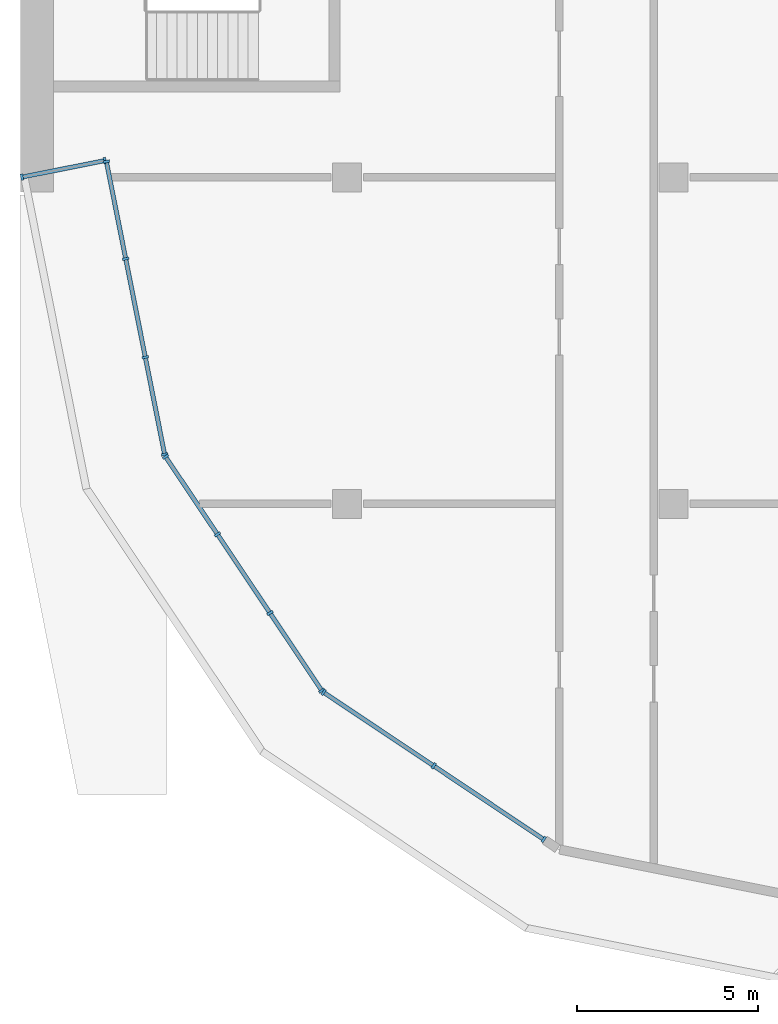
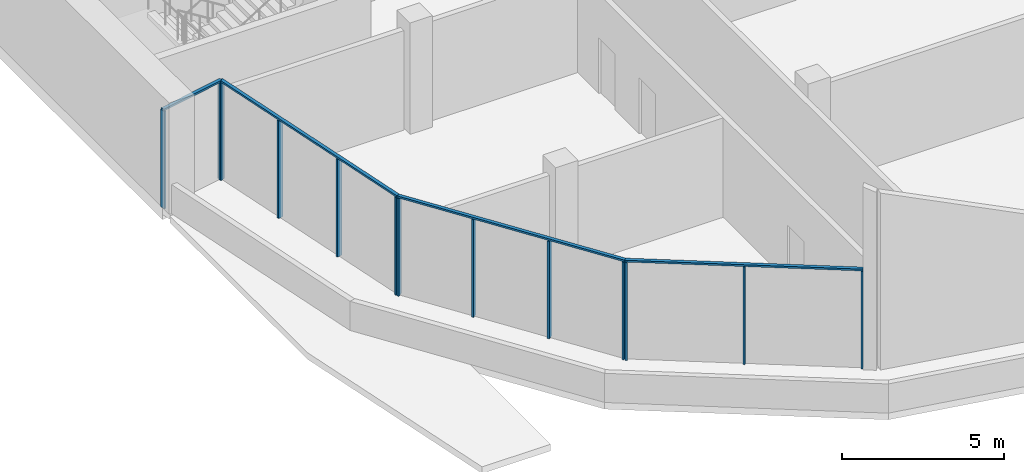
# One storey, part 2 of 11: 17 members, 4 elements without a shape of their own.
"""IFC4 building model written with IfcOpenShell, lengths in metres."""

from ifc_helpers import new_model, si_unit, direction, frame, origin, origin_2d, place, context, subcontext, project, spatial, rectangle, extrude, material, material_profile, profile_set, type_object, element, aggregate, save


model = new_model("IFC4")

# Units and contexts
model_context = context("Model", 3, precision=1e-05, world=origin(), true_north=direction((0.0, 1.0)))
body_context = subcontext(model_context, "Body", "Model", "MODEL_VIEW")
ifc_project = project(units=[si_unit("LENGTHUNIT", "METRE"), si_unit("AREAUNIT", "SQUARE_METRE"), si_unit("VOLUMEUNIT", "CUBIC_METRE"), si_unit("PLANEANGLEUNIT", "RADIAN"), si_unit("MASSUNIT", "GRAM", prefix="KILO")], contexts=[model_context])

# Site, building, storey
site_placement = place(None, origin())
site = spatial("IfcSite", under=ifc_project, at=site_placement, CompositionType="ELEMENT")
building_placement = place(site_placement, origin())
building = spatial("IfcBuilding", under=site, at=building_placement, Name="Hunhe Ridgeline Campus", CompositionType="ELEMENT")
storey_placement = place(building_placement, frame((0.0, 0.0, 303.0)))
storey = spatial("IfcBuildingStorey", under=building, at=storey_placement, Name="L78 Crown", CompositionType="ELEMENT", Elevation=303.0)

# Curtain wall, members
ifc_material = material(Name="Aluminium 6063", Category="aluminium")
curtain_wall_type = type_object("IfcCurtainWallType", Name="Curtain wall CW-3", PredefinedType="NOTDEFINED", material=ifc_material)
curtain_wall_1_placement = place(storey_placement, origin())
curtain_wall_1 = element("IfcCurtainWall", 1, at=curtain_wall_1_placement, inside=storey, type_object=curtain_wall_type, Name="Curtain wall 01", PredefinedType="NOTDEFINED")
ifc_material_profile_1 = material_profile(ifc_material, rectangle(XDim=0.179931640625, YDim=0.070068359375, at=origin_2d()))
ifc_profile_set_1 = profile_set([ifc_material_profile_1], Name="Aluminium 6063")
member_type_1 = type_object("IfcMemberType", Name="CW-3 aluminium mullion", PredefinedType="MULLION", material=ifc_profile_set_1)
member_1_placement = place(storey_placement, frame((0.034423828125, 54.0078125, 0.0), z_axis=(0.0, 0.0, 1.0), x_axis=(-0.194800108362, 0.980842962855, 0.0)))
member_1 = element("IfcMember", 2, at=member_1_placement, type_object=member_type_1, Name="CW-3 mullion 1", PredefinedType="MULLION", context=body_context, shape_type="SweptSolid", body=[
    extrude(rectangle(XDim=0.179931640625, YDim=0.070068359375, at=origin_2d()), origin(), (0.0, 0.0, 1.0), 3.679931640625),
])
member_2_placement = place(storey_placement, frame((2.320556640625, 54.4619140625, 0.0), z_axis=(0.0, 0.0, 1.0), x_axis=(-0.194800108362, 0.980842962855, 0.0)))
member_2 = element("IfcMember", 3, at=member_2_placement, type_object=member_type_1, Name="CW-3 mullion 2", PredefinedType="MULLION", context=body_context, shape_type="SweptSolid", body=[
    extrude(rectangle(XDim=0.179931640625, YDim=0.070068359375, at=origin_2d()), origin(), (0.0, 0.0, 1.0), 3.679931640625),
])

curtain_wall_2_placement = place(storey_placement, origin())
curtain_wall_2 = element("IfcCurtainWall", 4, at=curtain_wall_2_placement, inside=storey, type_object=curtain_wall_type, Name="Curtain wall 02", PredefinedType="NOTDEFINED")
member_3_placement = place(storey_placement, frame((2.361572265625, 54.434326171875, 0.0), z_axis=(0.0, 0.0, 1.0), x_axis=(0.980784280831, 0.195095347137, 0.0)))
member_3 = element("IfcMember", 5, at=member_3_placement, type_object=member_type_1, Name="CW-3 mullion 1", PredefinedType="MULLION", context=body_context, shape_type="SweptSolid", body=[
    extrude(rectangle(XDim=0.179931640625, YDim=0.070068359375, at=origin_2d()), origin(), (0.0, 0.0, 1.0), 3.679931640625),
])
member_4_placement = place(storey_placement, frame((2.89453125, 51.754638671875, 0.0), z_axis=(0.0, 0.0, 1.0), x_axis=(0.980784280831, 0.195095347137, 0.0)))
member_4 = element("IfcMember", 6, at=member_4_placement, type_object=member_type_1, Name="CW-3 mullion 2", PredefinedType="MULLION", context=body_context, shape_type="SweptSolid", body=[
    extrude(rectangle(XDim=0.179931640625, YDim=0.070068359375, at=origin_2d()), origin(), (0.0, 0.0, 1.0), 3.679931640625),
])
member_5_placement = place(storey_placement, frame((3.4345703125, 49.04052734375, 0.0), z_axis=(0.0, 0.0, 1.0), x_axis=(0.980784280831, 0.195095347137, 0.0)))
member_5 = element("IfcMember", 7, at=member_5_placement, type_object=member_type_1, Name="CW-3 mullion 3", PredefinedType="MULLION", context=body_context, shape_type="SweptSolid", body=[
    extrude(rectangle(XDim=0.179931640625, YDim=0.070068359375, at=origin_2d()), origin(), (0.0, 0.0, 1.0), 3.679931640625),
])
member_6_placement = place(storey_placement, frame((3.967529296875, 46.36083984375, 0.0), z_axis=(0.0, 0.0, 1.0), x_axis=(0.980784280831, 0.195095347137, 0.0)))
member_6 = element("IfcMember", 8, at=member_6_placement, type_object=member_type_1, Name="CW-3 mullion 4", PredefinedType="MULLION", context=body_context, shape_type="SweptSolid", body=[
    extrude(rectangle(XDim=0.179931640625, YDim=0.070068359375, at=origin_2d()), origin(), (0.0, 0.0, 1.0), 3.679931640625),
])

curtain_wall_3_placement = place(storey_placement, origin())
curtain_wall_3 = element("IfcCurtainWall", 9, at=curtain_wall_3_placement, inside=storey, type_object=curtain_wall_type, Name="Curtain wall 03", PredefinedType="NOTDEFINED")
member_7_placement = place(storey_placement, frame((3.993896484375, 46.29736328125, 0.0), z_axis=(0.0, 0.0, 1.0), x_axis=(0.831469584522, 0.555570274596, 0.0)))
member_7 = element("IfcMember", 10, at=member_7_placement, type_object=member_type_1, Name="CW-3 mullion 1", PredefinedType="MULLION", context=body_context, shape_type="SweptSolid", body=[
    extrude(rectangle(XDim=0.179931640625, YDim=0.070068359375, at=origin_2d()), origin(), (0.0, 0.0, 1.0), 3.679931640625),
])
member_8_placement = place(storey_placement, frame((5.42333984375, 44.157958984375, 0.0), z_axis=(0.0, 0.0, 1.0), x_axis=(0.831469584522, 0.555570274596, 0.0)))
member_8 = element("IfcMember", 11, at=member_8_placement, type_object=member_type_1, Name="CW-3 mullion 2", PredefinedType="MULLION", context=body_context, shape_type="SweptSolid", body=[
    extrude(rectangle(XDim=0.179931640625, YDim=0.070068359375, at=origin_2d()), origin(), (0.0, 0.0, 1.0), 3.679931640625),
])
member_9_placement = place(storey_placement, frame((6.872314453125, 41.989501953125, 0.0), z_axis=(0.0, 0.0, 1.0), x_axis=(0.831469584522, 0.555570274596, 0.0)))
member_9 = element("IfcMember", 12, at=member_9_placement, type_object=member_type_1, Name="CW-3 mullion 3", PredefinedType="MULLION", context=body_context, shape_type="SweptSolid", body=[
    extrude(rectangle(XDim=0.179931640625, YDim=0.070068359375, at=origin_2d()), origin(), (0.0, 0.0, 1.0), 3.679931640625),
])
member_10_placement = place(storey_placement, frame((8.3017578125, 39.850341796875, 0.0), z_axis=(0.0, 0.0, 1.0), x_axis=(0.831469584522, 0.555570274596, 0.0)))
member_10 = element("IfcMember", 13, at=member_10_placement, type_object=member_type_1, Name="CW-3 mullion 4", PredefinedType="MULLION", context=body_context, shape_type="SweptSolid", body=[
    extrude(rectangle(XDim=0.179931640625, YDim=0.070068359375, at=origin_2d()), origin(), (0.0, 0.0, 1.0), 3.679931640625),
])

curtain_wall_4_placement = place(storey_placement, origin())
curtain_wall_4 = element("IfcCurtainWall", 14, at=curtain_wall_4_placement, inside=storey, type_object=curtain_wall_type, Name="Curtain wall 04", PredefinedType="NOTDEFINED")
member_11_placement = place(storey_placement, frame((8.350341796875, 39.8017578125, 0.0), z_axis=(0.0, 0.0, 1.0), x_axis=(0.555570218, 0.831469622338, 0.0)))
member_11 = element("IfcMember", 15, at=member_11_placement, type_object=member_type_1, Name="CW-3 mullion 1", PredefinedType="MULLION", context=body_context, shape_type="SweptSolid", body=[
    extrude(rectangle(XDim=0.179931640625, YDim=0.070068359375, at=origin_2d()), origin(), (0.0, 0.0, 1.0), 3.679931640625),
])
member_12_placement = place(storey_placement, frame((11.384521484375, 37.774169921875, 0.0), z_axis=(0.0, 0.0, 1.0), x_axis=(0.555570218, 0.831469622338, 0.0)))
member_12 = element("IfcMember", 16, at=member_12_placement, type_object=member_type_1, Name="CW-3 mullion 2", PredefinedType="MULLION", context=body_context, shape_type="SweptSolid", body=[
    extrude(rectangle(XDim=0.179931640625, YDim=0.070068359375, at=origin_2d()), origin(), (0.0, 0.0, 1.0), 3.679931640625),
])
member_13_placement = place(storey_placement, frame((14.4189453125, 35.74658203125, 0.0), z_axis=(0.0, 0.0, 1.0), x_axis=(0.555570218, 0.831469622338, 0.0)))
member_13 = element("IfcMember", 17, at=member_13_placement, type_object=member_type_1, Name="CW-3 mullion 3", PredefinedType="MULLION", context=body_context, shape_type="SweptSolid", body=[
    extrude(rectangle(XDim=0.179931640625, YDim=0.070068359375, at=origin_2d()), origin(), (0.0, 0.0, 1.0), 3.679931640625),
])

# Member
ifc_material_profile_2 = material_profile(ifc_material, rectangle(XDim=0.1201171875, YDim=0.070068359375, at=origin_2d()))
ifc_profile_set_2 = profile_set([ifc_material_profile_2], Name="Aluminium 6063")
member_type_2 = type_object("IfcMemberType", Name="CW-3 aluminium transom", PredefinedType="USERDEFINED", material=ifc_profile_set_2)
member_14_placement = place(storey_placement, frame((0.0, 54.0009765625, 3.715087890625), z_axis=(0.980834085577, 0.194844801241, 0.0), x_axis=(-0.194844801241, 0.980834085577, 0.0)))
member_14 = element("IfcMember", 18, at=member_14_placement, type_object=member_type_2, Name="CW-3 transom 1", ObjectType="TRANSOM", PredefinedType="USERDEFINED", context=body_context, shape_type="SweptSolid", body=[
    extrude(rectangle(XDim=0.1201171875, YDim=0.070068359375, at=origin_2d()), origin(), (0.0, 0.0, 1.0), 2.400634765625),
])

aggregate(curtain_wall_1, [member_14, member_1, member_2])

member_15_placement = place(storey_placement, frame((2.354736328125, 54.46875, 3.715087890625), z_axis=(0.195092405068, -0.980784866056, 0.0), x_axis=(0.980784866056, 0.195092405068, 0.0)))
member_15 = element("IfcMember", 19, at=member_15_placement, type_object=member_type_2, Name="CW-3 transom 1", ObjectType="TRANSOM", PredefinedType="USERDEFINED", context=body_context, shape_type="SweptSolid", body=[
    extrude(rectangle(XDim=0.1201171875, YDim=0.070068359375, at=origin_2d()), origin(), (0.0, 0.0, 1.0), 8.3017578125),
])

aggregate(curtain_wall_2, [member_15, member_3, member_4, member_5, member_6])

member_16_placement = place(storey_placement, frame((3.974365234375, 46.326416015625, 3.715087890625), z_axis=(0.5555640203, -0.831473763475, 0.0), x_axis=(0.831473763475, 0.5555640203, 0.0)))
member_16 = element("IfcMember", 20, at=member_16_placement, type_object=member_type_2, Name="CW-3 transom 1", ObjectType="TRANSOM", PredefinedType="USERDEFINED", context=body_context, shape_type="SweptSolid", body=[
    extrude(rectangle(XDim=0.1201171875, YDim=0.070068359375, at=origin_2d()), origin(), (0.0, 0.0, 1.0), 7.823974609375),
])

aggregate(curtain_wall_3, [member_16, member_7, member_8, member_9, member_10])

member_17_placement = place(storey_placement, frame((8.321044921875, 39.821044921875, 3.715087890625), z_axis=(0.831478965001, -0.555556235462, 0.0), x_axis=(0.555556235462, 0.831478965001, 0.0)))
member_17 = element("IfcMember", 21, at=member_17_placement, type_object=member_type_2, Name="CW-3 transom 1", ObjectType="TRANSOM", PredefinedType="USERDEFINED", context=body_context, shape_type="SweptSolid", body=[
    extrude(rectangle(XDim=0.1201171875, YDim=0.070068359375, at=origin_2d()), origin(), (0.0, 0.0, 1.0), 7.36865234375),
])

aggregate(curtain_wall_4, [member_17, member_11, member_12, member_13])

save(model, "model.ifc")
